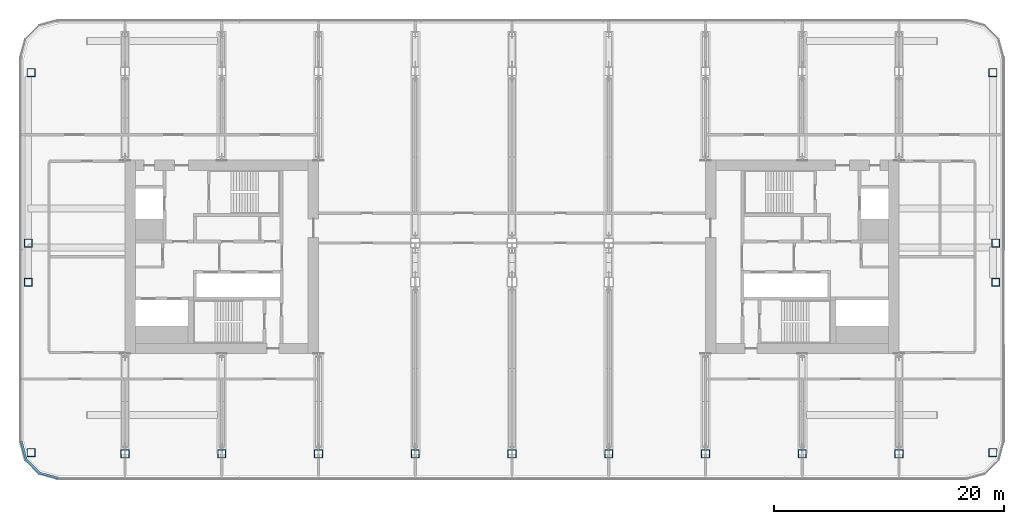
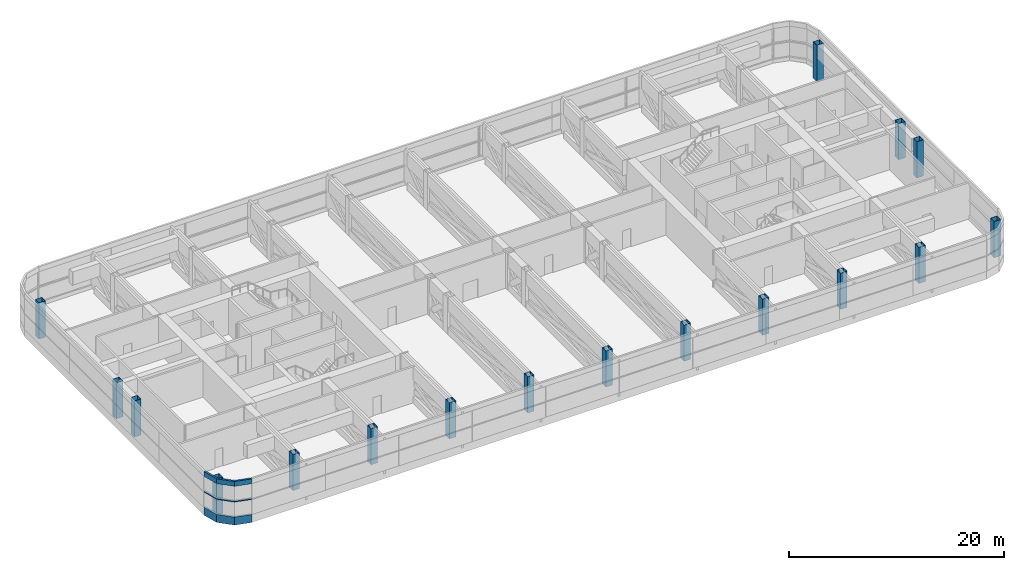
# One storey, part 1 of 33: 17 columns, 3 members, 1 element without a shape of its own.
"""IFC4 building model written with IfcOpenShell, lengths in metres."""

import ifcopenshell
import ifcopenshell.guid

model = None  # the IFC model being written
_history = None  # IfcOwnerHistory: only IFC2X3 demands one
_inside = {}  # id of a spatial element -> (the spatial element, [elements in it])
_under = {}  # id of a project, library or spatial element -> (it, [spatial elements below it])
_declared = {}  # id of a project -> (the project, [libraries it declares])
_typed = {}  # id of a type object -> (the type object, [elements of that type])
_made_of = {}  # id of a material, layer set ... -> (it, [elements and type objects made of it])


def new_model(schema):
    """Start an empty IFC model of exactly this schema.

    Asked for "IFC4X3", IfcOpenShell would pick the latest addendum, in which some entities
    have other attributes; the version numbers below select the first issue.
    IFC2X3 requires an IfcOwnerHistory on every rooted entity: one is made here for all.
    """
    global model, _history
    if schema == "IFC4X3":
        model = ifcopenshell.file(schema_version=(4, 3, 0, 0))
    else:
        model = ifcopenshell.file(schema=schema)
    _inside.clear()
    _under.clear()
    _declared.clear()
    _typed.clear()
    _made_of.clear()
    _history = None
    if model.schema == "IFC2X3":
        org = make("IfcOrganization", Name="unknown")
        user = make(
            "IfcPersonAndOrganization",
            ThePerson=make("IfcPerson", FamilyName="unknown"),
            TheOrganization=org,
        )
        app = make(
            "IfcApplication",
            ApplicationDeveloper=org,
            Version="unknown",
            ApplicationFullName="unknown",
            ApplicationIdentifier="unknown",
        )
        _history = make(
            "IfcOwnerHistory",
            OwningUser=user,
            OwningApplication=app,
            ChangeAction="ADDED",
            CreationDate=0,
        )
    return model


def make(cls, **values):
    """One entity of the class cls with the attributes given. An attribute that is None is left unset."""
    return model.create_entity(
        cls, **{name: value for name, value in values.items() if value is not None}
    )


def rooted(cls, **values):
    """An entity with a GlobalId (a new one), such as an element, a storey or a relation."""
    return make(cls, GlobalId=ifcopenshell.guid.new(), OwnerHistory=_history, **values)


def si_unit(unit_type, name, prefix=None):
    """IfcSIUnit, for example si_unit("LENGTHUNIT", "METRE", prefix="MILLI")."""
    return make("IfcSIUnit", UnitType=unit_type, Prefix=prefix, Name=name)


def assignment(units):
    """IfcUnitAssignment: the units of a project."""
    return None if units is None else make("IfcUnitAssignment", Units=units)


def point(xyz):
    """IfcCartesianPoint."""
    return None if xyz is None else make("IfcCartesianPoint", Coordinates=xyz)


def direction(xyz):
    """IfcDirection."""
    return None if xyz is None else make("IfcDirection", DirectionRatios=xyz)


def frame(location, z_axis=None, x_axis=None):
    """IfcAxis2Placement3D, a coordinate frame: its origin and axes. An axis left out is left unset."""
    return make(
        "IfcAxis2Placement3D",
        Location=point(location),
        Axis=direction(z_axis),
        RefDirection=direction(x_axis),
    )


def frame_2d(location, x_axis=None):
    """IfcAxis2Placement2D, a coordinate frame in the plane: its origin and x axis."""
    return make(
        "IfcAxis2Placement2D", Location=point(location), RefDirection=direction(x_axis)
    )


def origin():
    """The frame at (0, 0, 0) with its axes left unset."""
    return frame((0.0, 0.0, 0.0))


def origin_2d():
    """The frame at (0, 0) in the plane with its x axis left unset."""
    return frame_2d((0.0, 0.0))


def place(relative_to, where):
    """IfcLocalPlacement: puts the frame where relative to a parent placement (None: the world)."""
    return make(
        "IfcLocalPlacement", PlacementRelTo=relative_to, RelativePlacement=where
    )


def context(
    kind, dimensions, precision=None, world=None, true_north=None, identifier=None
):
    """IfcGeometricRepresentationContext, for example the 3D "Model" context."""
    return make(
        "IfcGeometricRepresentationContext",
        ContextIdentifier=identifier,
        ContextType=kind,
        CoordinateSpaceDimension=dimensions,
        Precision=precision,
        WorldCoordinateSystem=world,
        TrueNorth=true_north,
    )


def subcontext(parent, identifier, kind, view, scale=None):
    """IfcGeometricRepresentationSubContext, for example "Body" below "Model"."""
    return make(
        "IfcGeometricRepresentationSubContext",
        ContextIdentifier=identifier,
        ContextType=kind,
        ParentContext=parent,
        TargetScale=scale,
        TargetView=view,
    )


def project(units=None, contexts=None):
    """IfcProject with its units and contexts."""
    return rooted(
        "IfcProject",
        Name="project",
        RepresentationContexts=contexts,
        UnitsInContext=assignment(units),
    )


def spatial(cls, under=None, at=None, **own):
    """A site, building, storey or space (cls), placed at a placement, below another one or the project."""
    s = rooted(cls, ObjectPlacement=at, **own)
    if under is not None:
        _under.setdefault(under.id(), (under, []))[1].append(s)
    return s


def polyline(points):
    """IfcPolyline through the points."""
    return make("IfcPolyline", Points=[point(p) for p in points])


def profile(cls, at=None, kind="AREA", **sizes):
    """A parametric profile (cls). Its sizes go by their IFC names, for example OverallWidth=200.0."""
    return make(cls, ProfileType=kind, Position=at, **sizes)


def rectangle(**sizes):
    """IfcRectangleProfileDef."""
    return profile("IfcRectangleProfileDef", **sizes)


def hollow_rectangle(**sizes):
    """IfcRectangleHollowProfileDef."""
    return profile("IfcRectangleHollowProfileDef", **sizes)


def outline(outer, holes=None, kind="AREA"):
    """IfcArbitraryClosedProfileDef: a profile drawn as a closed curve; with holes, ...WithVoids."""
    if holes is None:
        return make("IfcArbitraryClosedProfileDef", ProfileType=kind, OuterCurve=outer)
    return make(
        "IfcArbitraryProfileDefWithVoids",
        ProfileType=kind,
        OuterCurve=outer,
        InnerCurves=holes,
    )


def extrude(swept, where, along, depth):
    """IfcExtrudedAreaSolid: the profile swept, set in the frame where, extruded along a direction by depth."""
    return make(
        "IfcExtrudedAreaSolid",
        SweptArea=swept,
        Position=where,
        ExtrudedDirection=direction(along),
        Depth=depth,
    )


def shape(context_of_items, identifier, shape_type, items):
    """IfcShapeRepresentation: the items that make up one representation, for example the "Body"."""
    return make(
        "IfcShapeRepresentation",
        ContextOfItems=context_of_items,
        RepresentationIdentifier=identifier,
        RepresentationType=shape_type,
        Items=items,
    )


def material(Name=None, Category=None):
    """IfcMaterial."""
    return make("IfcMaterial", Name=Name, Category=Category)


def layer(
    of_material, thickness, ventilated=None, Name=None, Category=None, Priority=None
):
    """IfcMaterialLayer: one layer of a wall or slab, of a material (None: an air gap)."""
    return make(
        "IfcMaterialLayer",
        Material=of_material,
        LayerThickness=thickness,
        IsVentilated=ventilated,
        Name=Name,
        Category=Category,
        Priority=Priority,
    )


def layer_set(layers, Name=None):
    """IfcMaterialLayerSet."""
    return make("IfcMaterialLayerSet", MaterialLayers=layers, LayerSetName=Name)


def material_profile(
    of_material, cross_section, Name=None, Category=None, Priority=None
):
    """IfcMaterialProfile: a cross section and its material."""
    return make(
        "IfcMaterialProfile",
        Name=Name,
        Material=of_material,
        Profile=cross_section,
        Priority=Priority,
        Category=Category,
    )


def profile_set(profiles, Name=None, composite=None):
    """IfcMaterialProfileSet."""
    return make(
        "IfcMaterialProfileSet",
        Name=Name,
        MaterialProfiles=profiles,
        CompositeProfile=composite,
    )


def made_of(thing, what):
    """Note that an element or type object is made of a material, layer set ...; save() writes the relation."""
    if what is not None:
        _made_of.setdefault(what.id(), (what, []))[1].append(thing)
    return thing


def type_object(cls, material=None, **own):
    """A type object (cls), such as IfcWallType, which elements share."""
    return made_of(rooted(cls, **own), material)


def element(
    cls,
    number,
    at=None,
    inside=None,
    cuts=None,
    type_object=None,
    material=None,
    context=None,
    identifier="Body",
    shape_type=None,
    held_by="IfcProductDefinitionShape",
    body=None,
    shapes=None,
    **own,
):
    """One element of the class cls, such as IfcWall. Its Tag is "e" and its number.

    at: its placement. inside: the storey or other place that contains it. cuts: it is an
    opening in that element (IfcRelVoidsElement). A single representation is given by context,
    identifier, shape_type and body (its items); several are given by shapes. held_by: the class
    of the entity that holds the representations. save() writes the other relations.
    """
    e = rooted(cls, Tag="e%d" % number, ObjectPlacement=at, **own)
    if body is not None:
        shapes = [shape(context, identifier, shape_type, body)]
    if shapes is not None:
        e.Representation = make(held_by, Representations=shapes)
    if inside is not None:
        _inside.setdefault(inside.id(), (inside, []))[1].append(e)
    if cuts is not None:
        rooted(
            "IfcRelVoidsElement", RelatingBuildingElement=cuts, RelatedOpeningElement=e
        )
    if type_object is not None:
        _typed.setdefault(type_object.id(), (type_object, []))[1].append(e)
    return made_of(e, material)


def aggregate(whole, parts):
    """IfcRelAggregates: a whole, such as a stair, and the parts it consists of."""
    return rooted("IfcRelAggregates", RelatingObject=whole, RelatedObjects=parts)


def save(model, path):
    """Write the relations noted so far, then the file.

    IfcRelAggregates (storeys below a building ...), IfcRelContainedInSpatialStructure (elements
    in a storey), IfcRelDefinesByType, IfcRelAssociatesMaterial and IfcRelDeclares: one each for
    every whole, place, type object, material and project.
    """
    for whole, parts in _under.values():
        aggregate(whole, parts)
    for where, things in _inside.values():
        rooted(
            "IfcRelContainedInSpatialStructure",
            RelatedElements=things,
            RelatingStructure=where,
        )
    for kind, things in _typed.values():
        rooted("IfcRelDefinesByType", RelatedObjects=things, RelatingType=kind)
    for what, things in _made_of.values():
        rooted("IfcRelAssociatesMaterial", RelatedObjects=things, RelatingMaterial=what)
    for by, libraries in _declared.values():
        rooted("IfcRelDeclares", RelatingContext=by, RelatedDefinitions=libraries)
    model.write(path)


model = new_model("IFC4")

# Units and contexts
model_context = context("Model", 3, precision=1e-05, world=origin(), true_north=direction((0.0, 1.0)))
body_context = subcontext(model_context, "Body", "Model", "MODEL_VIEW")
ifc_project = project(units=[si_unit("LENGTHUNIT", "METRE"), si_unit("AREAUNIT", "SQUARE_METRE"), si_unit("VOLUMEUNIT", "CUBIC_METRE"), si_unit("PLANEANGLEUNIT", "RADIAN"), si_unit("MASSUNIT", "GRAM", prefix="KILO")], contexts=[model_context])

# Site, building, storey
site_placement = place(None, origin())
site = spatial("IfcSite", under=ifc_project, at=site_placement, CompositionType="ELEMENT")
building_placement = place(site_placement, origin())
building = spatial("IfcBuilding", under=site, at=building_placement, Name="Hakoniwa Tower and Hamabe Station Hall", CompositionType="ELEMENT")
storey_placement = place(building_placement, frame((0.0, 0.0, 175.800048828125)))
storey = spatial("IfcBuildingStorey", under=building, at=storey_placement, Name="L50", CompositionType="ELEMENT", Elevation=175.800048828125)

# Columns
ifc_material_1 = material(Name="Steel SN490C", Category="steel")
ifc_material_profile_1 = material_profile(ifc_material_1, hollow_rectangle(XDim=0.699951171875, YDim=0.699951171875, WallThickness=0.028076171875, at=origin_2d()), Name="BX-700x700x28")
ifc_profile_set_1 = profile_set([ifc_material_profile_1], Name="Steel SN490C")
column_type = type_object("IfcColumnType", Name="COLUMN BX-700x700x28", PredefinedType="COLUMN", material=ifc_profile_set_1)
for number, where, z_axis, x_axis, name in (
    (1, (-41.74853515625, -16.99365234375, 0.0), (0.0, 0.0, 1.0), (1.0, 0.0, 0.0), "Column B3-2-A3"),
    (2, (-42.0, -2.199951171875, 0.0), (0.0, 0.0, 1.0), (1.0, 0.0, 0.0), "Column B3-2-C3"),
    (3, (-42.0, 1.199951171875, 0.0), (0.0, 0.0, 1.0), (1.0, 0.0, 0.0), "Column B3-2-D3"),
    (4, (-41.74853515625, 15.99365234375, 0.0), (0.0, 0.0, 1.0), (1.0, 0.0, 0.0), "Column B3-2-F3"),
    (5, (-33.60009765625, -17.10009765625, 0.0), (0.0, 0.0, 1.0), (1.0, 0.0, 0.0), "Column B3-3-A3"),
    (6, (-25.199951171875, -17.10009765625, 0.0), (0.0, 0.0, 1.0), (1.0, 0.0, 0.0), "Column B3-4-A3"),
    (7, (-16.800048828125, -17.10009765625, 0.0), (0.0, 0.0, 1.0), (1.0, 0.0, 0.0), "Column B3-5-A3"),
    (8, (-8.39990234375, -17.10009765625, 0.0), (0.0, 0.0, 1.0), (1.0, 0.0, 0.0), "Column B3-6-A3"),
    (9, (0.0, -17.10009765625, 0.0), (0.0, 0.0, 1.0), (1.0, 0.0, 0.0), "Column B3-7-A3"),
    (10, (8.39990234375, -17.10009765625, 0.0), (0.0, 0.0, 1.0), (1.0, 0.0, 0.0), "Column B3-8-A3"),
    (11, (16.800048828125, -17.10009765625, 0.0), (0.0, 0.0, 1.0), (1.0, 0.0, 0.0), "Column B3-9-A3"),
    (12, (25.199951171875, -17.10009765625, 0.0), (0.0, 0.0, 1.0), (1.0, 0.0, 0.0), "Column B3-10-A3"),
    (13, (33.60009765625, -17.10009765625, 0.0), (0.0, 0.0, 1.0), (1.0, 0.0, 0.0), "Column B3-11-A3"),
    (14, (41.74853515625, -16.99365234375, 0.0), (0.0, 0.0, 1.0), (1.0, 0.0, 0.0), "Column B3-12-A3"),
    (15, (42.0, -2.199951171875, 0.0), (0.0, 0.0, 1.0), (1.0, 0.0, 0.0), "Column B3-12-C3"),
    (16, (42.0, 1.199951171875, 0.0), (0.0, 0.0, 1.0), (1.0, 0.0, 0.0), "Column B3-12-D3"),
    (17, (41.74853515625, 15.99365234375, 0.0), (0.0, 0.0, 1.0), (1.0, 0.0, 0.0), "Column B3-12-F3"),
):
    element("IfcColumn", number, at=place(storey_placement, frame(where, z_axis=z_axis, x_axis=x_axis)), inside=storey, type_object=column_type, Name=name, PredefinedType="COLUMN", context=body_context, shape_type="SweptSolid", body=[
        extrude(hollow_rectangle(XDim=0.699951171875, YDim=0.699951171875, WallThickness=0.028076171875, at=origin_2d()), origin(), (0.0, 0.0, 1.0), 4.099853515625),
    ])

# Curtain wall, members
ifc_material_2 = material(Name="Dark low-e laminated glass", Category="glass")
ifc_layer = layer(ifc_material_2, 0.199951171875)
ifc_layer_set = layer_set([ifc_layer], Name="CW-6 PLANT LOUVRE")
curtain_wall_type = type_object("IfcCurtainWallType", Name="CW-6 PLANT LOUVRE", PredefinedType="NOTDEFINED", material=ifc_layer_set)
curtain_wall_placement = place(storey_placement, origin())
curtain_wall = element("IfcCurtainWall", 18, at=curtain_wall_placement, inside=storey, type_object=curtain_wall_type, Name="CW-6 curtain wall", PredefinedType="NOTDEFINED")
ifc_material_3 = material(Name="Aluminium 6063-T5 black anodised", Category="aluminium")
ifc_material_profile_2 = material_profile(ifc_material_3, rectangle(XDim=0.199951171875, YDim=0.550048828125, at=origin_2d()), Name="CW HEAD BAND 550X200")
ifc_profile_set_2 = profile_set([ifc_material_profile_2], Name="Aluminium 6063-T5 black anodised")
member_type_1 = type_object("IfcMemberType", Name="CW HEAD BAND 550X200", PredefinedType="USERDEFINED", material=ifc_profile_set_2)
member_1_placement = place(storey_placement, frame((0.0, 0.0, 3.849853515625)))
member_1 = element("IfcMember", 19, at=member_1_placement, type_object=member_type_1, Name="CW-6 transom", ObjectType="TRANSOM", PredefinedType="USERDEFINED", context=body_context, shape_type="SweptSolid", body=[
    extrude(outline(polyline([(-42.699951171875, -16.03955078125), (-42.26708984375, -17.6552734375), (-41.05517578125, -18.866943359375), (-39.439453125, -19.300048828125), (-39.3876953125, -19.10693359375), (-40.95166015625, -18.687744140625), (-42.087646484375, -17.5517578125), (-42.5068359375, -15.98779296875), (-42.699951171875, -16.03955078125)])), origin(), (0.0, 0.0, 1.0), 0.550048828125),
])
ifc_material_4 = material(Name="Aluminium 6063-T5 black anodised", Category="aluminium")
ifc_material_profile_3 = material_profile(ifc_material_4, rectangle(XDim=0.199951171875, YDim=0.1201171875, at=origin_2d()), Name="CW MID TRANSOM 120X200")
ifc_profile_set_3 = profile_set([ifc_material_profile_3], Name="Aluminium 6063-T5 black anodised")
member_type_2 = type_object("IfcMemberType", Name="CW MID TRANSOM 120X200", PredefinedType="USERDEFINED", material=ifc_profile_set_3)
member_2_placement = place(storey_placement, frame((0.0, 0.0, 2.0400390625)))
member_2 = element("IfcMember", 20, at=member_2_placement, type_object=member_type_2, Name="CW-6 transom", ObjectType="TRANSOM", PredefinedType="USERDEFINED", context=body_context, shape_type="SweptSolid", body=[
    extrude(outline(polyline([(-42.699951171875, -16.03955078125), (-42.26708984375, -17.6552734375), (-41.05517578125, -18.866943359375), (-39.439453125, -19.300048828125), (-39.3876953125, -19.10693359375), (-40.95166015625, -18.687744140625), (-42.087646484375, -17.5517578125), (-42.5068359375, -15.98779296875), (-42.699951171875, -16.03955078125)])), origin(), (0.0, 0.0, 1.0), 0.119873046875),
])
ifc_material_5 = material(Name="Aluminium 6063-T5 black anodised", Category="aluminium")
ifc_material_profile_4 = material_profile(ifc_material_5, rectangle(XDim=0.199951171875, YDim=0.89990234375, at=origin_2d()), Name="CW SLAB-EDGE BAND 900X200")
ifc_profile_set_4 = profile_set([ifc_material_profile_4], Name="Aluminium 6063-T5 black anodised")
member_type_3 = type_object("IfcMemberType", Name="CW SLAB-EDGE BAND 900X200", PredefinedType="USERDEFINED", material=ifc_profile_set_4)
member_3_placement = place(storey_placement, frame((0.0, 0.0, -0.550048828125)))
member_3 = element("IfcMember", 21, at=member_3_placement, type_object=member_type_3, Name="CW-6 transom", ObjectType="TRANSOM", PredefinedType="USERDEFINED", context=body_context, shape_type="SweptSolid", body=[
    extrude(outline(polyline([(-42.699951171875, -16.03955078125), (-42.26708984375, -17.6552734375), (-41.05517578125, -18.866943359375), (-39.439453125, -19.300048828125), (-39.3876953125, -19.10693359375), (-40.95166015625, -18.687744140625), (-42.087646484375, -17.5517578125), (-42.5068359375, -15.98779296875), (-42.699951171875, -16.03955078125)])), origin(), (0.0, 0.0, 1.0), 0.89990234375),
])
aggregate(curtain_wall, [member_3, member_2, member_1])

save(model, "model.ifc")
